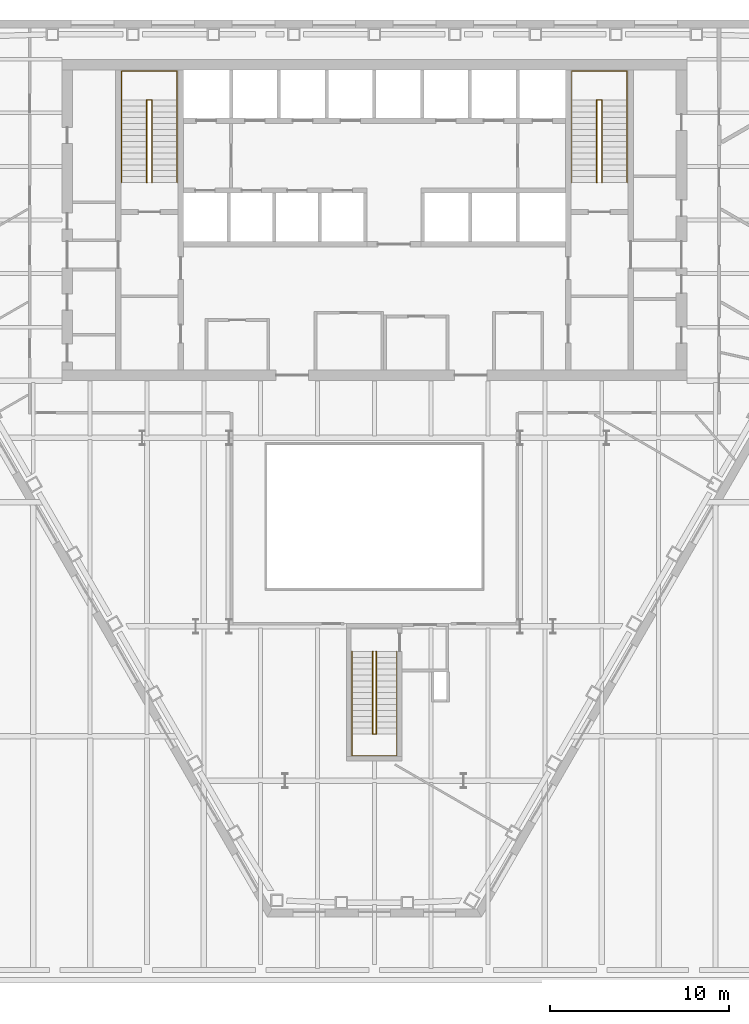
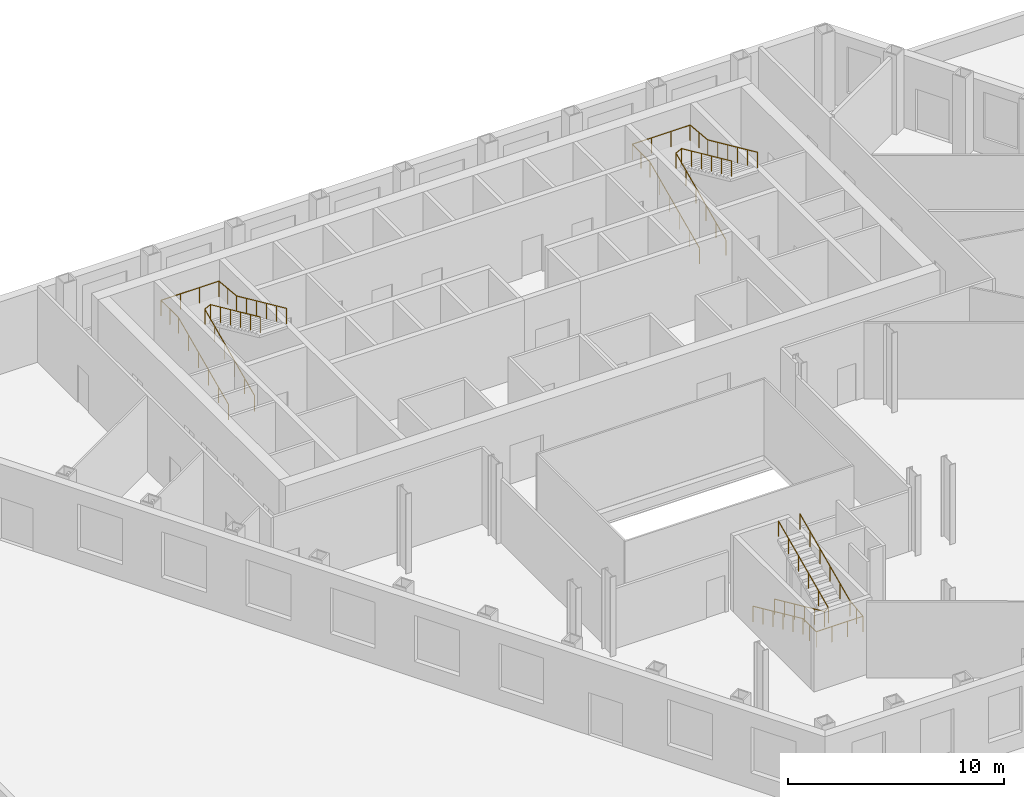
# One storey, part 14 of 14: 6 railings.
"""IFC4 building model written with IfcOpenShell, lengths in metres."""

from ifc_helpers import new_model, si_unit, direction, frame, origin, origin_2d, place, context, subcontext, project, spatial, circle, extrude, material, type_object, element, save


model = new_model("IFC4")

# Units and contexts
model_context = context("Model", 3, precision=1e-05, world=origin(), true_north=direction((0.0, 1.0)))
body_context = subcontext(model_context, "Body", "Model", "MODEL_VIEW")
ifc_project = project(units=[si_unit("LENGTHUNIT", "METRE"), si_unit("AREAUNIT", "SQUARE_METRE"), si_unit("VOLUMEUNIT", "CUBIC_METRE"), si_unit("PLANEANGLEUNIT", "RADIAN"), si_unit("MASSUNIT", "GRAM", prefix="KILO")], contexts=[model_context])

# Site, building, storey
site_placement = place(None, origin())
site = spatial("IfcSite", under=ifc_project, at=site_placement, CompositionType="ELEMENT")
building_placement = place(site_placement, origin())
building = spatial("IfcBuilding", under=site, at=building_placement, Name="Njiva Tower", CompositionType="ELEMENT")
storey_placement = place(building_placement, frame((0.0, 0.0, 28.8)))
storey = spatial("IfcBuildingStorey", under=building, at=storey_placement, Name="L05", CompositionType="ELEMENT", Elevation=28.8)

# Railings
ifc_material = material(Name="Stainless steel", Category="steel")
railing_type = type_object("IfcRailingType", Name="RL1 Stair handrail 900", PredefinedType="HANDRAIL", material=ifc_material)
railing_1_placement = place(storey_placement, frame((-14.15, 11.1, 0.15)))
element("IfcRailing", 1, at=railing_1_placement, inside=storey, type_object=railing_type, Name="Stair A handrail", PredefinedType="HANDRAIL", context=body_context, shape_type="SweptSolid", body=[
    extrude(circle(Radius=0.024, at=origin_2d()), frame((0.0, 0.0, 0.876), z_axis=(0.0, 0.910366477463, 0.413802944301), x_axis=(-1.0, 0.0, 0.0)), (0.0, 0.0, 1.0), 5.0749),
    extrude(circle(Radius=0.024, at=origin_2d()), frame((0.0, 4.62, 2.976), z_axis=(0.0, 1.0, 0.0), x_axis=(-1.0, 0.0, 0.0)), (0.0, 0.0, 1.0), 1.63),
    extrude(circle(Radius=0.024, at=origin_2d()), frame((0.0, 6.25, 2.976), z_axis=(1.0, 0.0, 0.0), x_axis=(0.0, 1.0, 0.0)), (0.0, 0.0, 1.0), 3.1),
    extrude(circle(Radius=0.024, at=origin_2d()), frame((3.1, 6.25, 2.976), z_axis=(0.0, -0.995792447047, 0.091637341753), x_axis=(1.0, 0.0, 0.0)), (0.0, 0.0, 1.0), 1.6369),
    extrude(circle(Radius=0.024, at=origin_2d()), frame((3.1, 4.62, 3.126), z_axis=(0.0, -0.910366477463, 0.413802944301), x_axis=(1.0, 0.0, 0.0)), (0.0, 0.0, 1.0), 5.0749),
    extrude(circle(Radius=0.021, at=origin_2d()), origin(), (0.0, 0.0, 1.0), 0.852),
    extrude(circle(Radius=0.021, at=origin_2d()), frame((0.0, 0.924, 0.42)), (0.0, 0.0, 1.0), 0.852),
    extrude(circle(Radius=0.021, at=origin_2d()), frame((0.0, 1.848, 0.84)), (0.0, 0.0, 1.0), 0.852),
    extrude(circle(Radius=0.021, at=origin_2d()), frame((0.0, 2.772, 1.26)), (0.0, 0.0, 1.0), 0.852),
    extrude(circle(Radius=0.021, at=origin_2d()), frame((0.0, 3.696, 1.68)), (0.0, 0.0, 1.0), 0.852),
    extrude(circle(Radius=0.021, at=origin_2d()), frame((0.0, 4.62, 2.1)), (0.0, 0.0, 1.0), 0.852),
    extrude(circle(Radius=0.021, at=origin_2d()), frame((0.0, 5.435, 2.1)), (0.0, 0.0, 1.0), 0.852),
    extrude(circle(Radius=0.021, at=origin_2d()), frame((0.0, 6.25, 2.1)), (0.0, 0.0, 1.0), 0.852),
    extrude(circle(Radius=0.021, at=origin_2d()), frame((1.0333, 6.25, 2.1)), (0.0, 0.0, 1.0), 0.852),
    extrude(circle(Radius=0.021, at=origin_2d()), frame((2.0667, 6.25, 2.1)), (0.0, 0.0, 1.0), 0.852),
    extrude(circle(Radius=0.021, at=origin_2d()), frame((3.1, 6.25, 2.1)), (0.0, 0.0, 1.0), 0.852),
    extrude(circle(Radius=0.021, at=origin_2d()), frame((3.1, 5.435, 2.175)), (0.0, 0.0, 1.0), 0.852),
    extrude(circle(Radius=0.021, at=origin_2d()), frame((3.1, 4.62, 2.25)), (0.0, 0.0, 1.0), 0.852),
    extrude(circle(Radius=0.021, at=origin_2d()), frame((3.1, 3.696, 2.67)), (0.0, 0.0, 1.0), 0.852),
    extrude(circle(Radius=0.021, at=origin_2d()), frame((3.1, 2.772, 3.09)), (0.0, 0.0, 1.0), 0.852),
    extrude(circle(Radius=0.021, at=origin_2d()), frame((3.1, 1.848, 3.51)), (0.0, 0.0, 1.0), 0.852),
    extrude(circle(Radius=0.021, at=origin_2d()), frame((3.1, 0.924, 3.93)), (0.0, 0.0, 1.0), 0.852),
    extrude(circle(Radius=0.021, at=origin_2d()), frame((3.1, 0.0, 4.35)), (0.0, 0.0, 1.0), 0.852),
])
railing_2_placement = place(storey_placement, frame((-12.75, 11.1, 0.15)))
element("IfcRailing", 2, at=railing_2_placement, inside=storey, type_object=railing_type, Name="Stair A handrail", PredefinedType="HANDRAIL", context=body_context, shape_type="SweptSolid", body=[
    extrude(circle(Radius=0.024, at=origin_2d()), frame((0.0, 0.0, 0.876), z_axis=(0.0, 0.910366477463, 0.413802944301), x_axis=(-1.0, 0.0, 0.0)), (0.0, 0.0, 1.0), 5.0749),
    extrude(circle(Radius=0.024, at=origin_2d()), frame((0.0, 4.62, 2.976), z_axis=(0.894427191, 0.0, 0.4472135955), x_axis=(0.0, 1.0, 0.0)), (0.0, 0.0, 1.0), 0.3354),
    extrude(circle(Radius=0.024, at=origin_2d()), frame((0.3, 4.62, 3.126), z_axis=(0.0, -0.910366477463, 0.413802944301), x_axis=(1.0, 0.0, 0.0)), (0.0, 0.0, 1.0), 5.0749),
    extrude(circle(Radius=0.021, at=origin_2d()), origin(), (0.0, 0.0, 1.0), 0.852),
    extrude(circle(Radius=0.021, at=origin_2d()), frame((0.0, 0.924, 0.42)), (0.0, 0.0, 1.0), 0.852),
    extrude(circle(Radius=0.021, at=origin_2d()), frame((0.0, 1.848, 0.84)), (0.0, 0.0, 1.0), 0.852),
    extrude(circle(Radius=0.021, at=origin_2d()), frame((0.0, 2.772, 1.26)), (0.0, 0.0, 1.0), 0.852),
    extrude(circle(Radius=0.021, at=origin_2d()), frame((0.0, 3.696, 1.68)), (0.0, 0.0, 1.0), 0.852),
    extrude(circle(Radius=0.021, at=origin_2d()), frame((0.0, 4.62, 2.1)), (0.0, 0.0, 1.0), 0.852),
    extrude(circle(Radius=0.021, at=origin_2d()), frame((0.3, 4.62, 2.25)), (0.0, 0.0, 1.0), 0.852),
    extrude(circle(Radius=0.021, at=origin_2d()), frame((0.3, 3.696, 2.67)), (0.0, 0.0, 1.0), 0.852),
    extrude(circle(Radius=0.021, at=origin_2d()), frame((0.3, 2.772, 3.09)), (0.0, 0.0, 1.0), 0.852),
    extrude(circle(Radius=0.021, at=origin_2d()), frame((0.3, 1.848, 3.51)), (0.0, 0.0, 1.0), 0.852),
    extrude(circle(Radius=0.021, at=origin_2d()), frame((0.3, 0.924, 3.93)), (0.0, 0.0, 1.0), 0.852),
    extrude(circle(Radius=0.021, at=origin_2d()), frame((0.3, 0.0, 4.35)), (0.0, 0.0, 1.0), 0.852),
])
railing_3_placement = place(storey_placement, frame((11.05, 11.1, 0.15)))
element("IfcRailing", 3, at=railing_3_placement, inside=storey, type_object=railing_type, Name="Stair B handrail", PredefinedType="HANDRAIL", context=body_context, shape_type="SweptSolid", body=[
    extrude(circle(Radius=0.024, at=origin_2d()), frame((0.0, 0.0, 0.876), z_axis=(0.0, 0.910366477463, 0.413802944301), x_axis=(-1.0, 0.0, 0.0)), (0.0, 0.0, 1.0), 5.0749),
    extrude(circle(Radius=0.024, at=origin_2d()), frame((0.0, 4.62, 2.976), z_axis=(0.0, 1.0, 0.0), x_axis=(-1.0, 0.0, 0.0)), (0.0, 0.0, 1.0), 1.63),
    extrude(circle(Radius=0.024, at=origin_2d()), frame((0.0, 6.25, 2.976), z_axis=(1.0, 0.0, 0.0), x_axis=(0.0, 1.0, 0.0)), (0.0, 0.0, 1.0), 3.1),
    extrude(circle(Radius=0.024, at=origin_2d()), frame((3.1, 6.25, 2.976), z_axis=(0.0, -0.995792447047, 0.091637341753), x_axis=(1.0, 0.0, 0.0)), (0.0, 0.0, 1.0), 1.6369),
    extrude(circle(Radius=0.024, at=origin_2d()), frame((3.1, 4.62, 3.126), z_axis=(0.0, -0.910366477463, 0.413802944301), x_axis=(1.0, 0.0, 0.0)), (0.0, 0.0, 1.0), 5.0749),
    extrude(circle(Radius=0.021, at=origin_2d()), origin(), (0.0, 0.0, 1.0), 0.852),
    extrude(circle(Radius=0.021, at=origin_2d()), frame((0.0, 0.924, 0.42)), (0.0, 0.0, 1.0), 0.852),
    extrude(circle(Radius=0.021, at=origin_2d()), frame((0.0, 1.848, 0.84)), (0.0, 0.0, 1.0), 0.852),
    extrude(circle(Radius=0.021, at=origin_2d()), frame((0.0, 2.772, 1.26)), (0.0, 0.0, 1.0), 0.852),
    extrude(circle(Radius=0.021, at=origin_2d()), frame((0.0, 3.696, 1.68)), (0.0, 0.0, 1.0), 0.852),
    extrude(circle(Radius=0.021, at=origin_2d()), frame((0.0, 4.62, 2.1)), (0.0, 0.0, 1.0), 0.852),
    extrude(circle(Radius=0.021, at=origin_2d()), frame((0.0, 5.435, 2.1)), (0.0, 0.0, 1.0), 0.852),
    extrude(circle(Radius=0.021, at=origin_2d()), frame((0.0, 6.25, 2.1)), (0.0, 0.0, 1.0), 0.852),
    extrude(circle(Radius=0.021, at=origin_2d()), frame((1.0333, 6.25, 2.1)), (0.0, 0.0, 1.0), 0.852),
    extrude(circle(Radius=0.021, at=origin_2d()), frame((2.0667, 6.25, 2.1)), (0.0, 0.0, 1.0), 0.852),
    extrude(circle(Radius=0.021, at=origin_2d()), frame((3.1, 6.25, 2.1)), (0.0, 0.0, 1.0), 0.852),
    extrude(circle(Radius=0.021, at=origin_2d()), frame((3.1, 5.435, 2.175)), (0.0, 0.0, 1.0), 0.852),
    extrude(circle(Radius=0.021, at=origin_2d()), frame((3.1, 4.62, 2.25)), (0.0, 0.0, 1.0), 0.852),
    extrude(circle(Radius=0.021, at=origin_2d()), frame((3.1, 3.696, 2.67)), (0.0, 0.0, 1.0), 0.852),
    extrude(circle(Radius=0.021, at=origin_2d()), frame((3.1, 2.772, 3.09)), (0.0, 0.0, 1.0), 0.852),
    extrude(circle(Radius=0.021, at=origin_2d()), frame((3.1, 1.848, 3.51)), (0.0, 0.0, 1.0), 0.852),
    extrude(circle(Radius=0.021, at=origin_2d()), frame((3.1, 0.924, 3.93)), (0.0, 0.0, 1.0), 0.852),
    extrude(circle(Radius=0.021, at=origin_2d()), frame((3.1, 0.0, 4.35)), (0.0, 0.0, 1.0), 0.852),
])
railing_4_placement = place(storey_placement, frame((12.45, 11.1, 0.15)))
element("IfcRailing", 4, at=railing_4_placement, inside=storey, type_object=railing_type, Name="Stair B handrail", PredefinedType="HANDRAIL", context=body_context, shape_type="SweptSolid", body=[
    extrude(circle(Radius=0.024, at=origin_2d()), frame((0.0, 0.0, 0.876), z_axis=(0.0, 0.910366477463, 0.413802944301), x_axis=(-1.0, 0.0, 0.0)), (0.0, 0.0, 1.0), 5.0749),
    extrude(circle(Radius=0.024, at=origin_2d()), frame((0.0, 4.62, 2.976), z_axis=(0.894427191, 0.0, 0.4472135955), x_axis=(0.0, 1.0, 0.0)), (0.0, 0.0, 1.0), 0.3354),
    extrude(circle(Radius=0.024, at=origin_2d()), frame((0.3, 4.62, 3.126), z_axis=(0.0, -0.910366477463, 0.413802944301), x_axis=(1.0, 0.0, 0.0)), (0.0, 0.0, 1.0), 5.0749),
    extrude(circle(Radius=0.021, at=origin_2d()), origin(), (0.0, 0.0, 1.0), 0.852),
    extrude(circle(Radius=0.021, at=origin_2d()), frame((0.0, 0.924, 0.42)), (0.0, 0.0, 1.0), 0.852),
    extrude(circle(Radius=0.021, at=origin_2d()), frame((0.0, 1.848, 0.84)), (0.0, 0.0, 1.0), 0.852),
    extrude(circle(Radius=0.021, at=origin_2d()), frame((0.0, 2.772, 1.26)), (0.0, 0.0, 1.0), 0.852),
    extrude(circle(Radius=0.021, at=origin_2d()), frame((0.0, 3.696, 1.68)), (0.0, 0.0, 1.0), 0.852),
    extrude(circle(Radius=0.021, at=origin_2d()), frame((0.0, 4.62, 2.1)), (0.0, 0.0, 1.0), 0.852),
    extrude(circle(Radius=0.021, at=origin_2d()), frame((0.3, 4.62, 2.25)), (0.0, 0.0, 1.0), 0.852),
    extrude(circle(Radius=0.021, at=origin_2d()), frame((0.3, 3.696, 2.67)), (0.0, 0.0, 1.0), 0.852),
    extrude(circle(Radius=0.021, at=origin_2d()), frame((0.3, 2.772, 3.09)), (0.0, 0.0, 1.0), 0.852),
    extrude(circle(Radius=0.021, at=origin_2d()), frame((0.3, 1.848, 3.51)), (0.0, 0.0, 1.0), 0.852),
    extrude(circle(Radius=0.021, at=origin_2d()), frame((0.3, 0.924, 3.93)), (0.0, 0.0, 1.0), 0.852),
    extrude(circle(Radius=0.021, at=origin_2d()), frame((0.3, 0.0, 4.35)), (0.0, 0.0, 1.0), 0.852),
])
railing_5_placement = place(storey_placement, frame((-1.25, -15.16, 0.15)))
element("IfcRailing", 5, at=railing_5_placement, inside=storey, type_object=railing_type, Name="Stair C handrail", PredefinedType="HANDRAIL", context=body_context, shape_type="SweptSolid", body=[
    extrude(circle(Radius=0.024, at=origin_2d()), frame((0.0, 0.0, 0.876), z_axis=(0.0, -0.910366477463, 0.413802944301), x_axis=(1.0, 0.0, 0.0)), (0.0, 0.0, 1.0), 5.0749),
    extrude(circle(Radius=0.024, at=origin_2d()), frame((0.0, -4.62, 2.976), z_axis=(0.0, -1.0, 0.0), x_axis=(1.0, 0.0, 0.0)), (0.0, 0.0, 1.0), 1.22),
    extrude(circle(Radius=0.024, at=origin_2d()), frame((0.0, -5.84, 2.976), z_axis=(1.0, 0.0, 0.0), x_axis=(0.0, 1.0, 0.0)), (0.0, 0.0, 1.0), 2.5),
    extrude(circle(Radius=0.024, at=origin_2d()), frame((2.5, -5.84, 2.976), z_axis=(0.0, 0.992526177815, 0.122031907108), x_axis=(-1.0, 0.0, 0.0)), (0.0, 0.0, 1.0), 1.2292),
    extrude(circle(Radius=0.024, at=origin_2d()), frame((2.5, -4.62, 3.126), z_axis=(0.0, 0.910366477463, 0.413802944301), x_axis=(-1.0, 0.0, 0.0)), (0.0, 0.0, 1.0), 5.0749),
    extrude(circle(Radius=0.021, at=origin_2d()), origin(), (0.0, 0.0, 1.0), 0.852),
    extrude(circle(Radius=0.021, at=origin_2d()), frame((0.0, -0.924, 0.42)), (0.0, 0.0, 1.0), 0.852),
    extrude(circle(Radius=0.021, at=origin_2d()), frame((0.0, -1.848, 0.84)), (0.0, 0.0, 1.0), 0.852),
    extrude(circle(Radius=0.021, at=origin_2d()), frame((0.0, -2.772, 1.26)), (0.0, 0.0, 1.0), 0.852),
    extrude(circle(Radius=0.021, at=origin_2d()), frame((0.0, -3.696, 1.68)), (0.0, 0.0, 1.0), 0.852),
    extrude(circle(Radius=0.021, at=origin_2d()), frame((0.0, -4.62, 2.1)), (0.0, 0.0, 1.0), 0.852),
    extrude(circle(Radius=0.021, at=origin_2d()), frame((0.0, -5.23, 2.1)), (0.0, 0.0, 1.0), 0.852),
    extrude(circle(Radius=0.021, at=origin_2d()), frame((0.0, -5.84, 2.1)), (0.0, 0.0, 1.0), 0.852),
    extrude(circle(Radius=0.021, at=origin_2d()), frame((0.8333, -5.84, 2.1)), (0.0, 0.0, 1.0), 0.852),
    extrude(circle(Radius=0.021, at=origin_2d()), frame((1.6667, -5.84, 2.1)), (0.0, 0.0, 1.0), 0.852),
    extrude(circle(Radius=0.021, at=origin_2d()), frame((2.5, -5.84, 2.1)), (0.0, 0.0, 1.0), 0.852),
    extrude(circle(Radius=0.021, at=origin_2d()), frame((2.5, -5.23, 2.175)), (0.0, 0.0, 1.0), 0.852),
    extrude(circle(Radius=0.021, at=origin_2d()), frame((2.5, -4.62, 2.25)), (0.0, 0.0, 1.0), 0.852),
    extrude(circle(Radius=0.021, at=origin_2d()), frame((2.5, -3.696, 2.67)), (0.0, 0.0, 1.0), 0.852),
    extrude(circle(Radius=0.021, at=origin_2d()), frame((2.5, -2.772, 3.09)), (0.0, 0.0, 1.0), 0.852),
    extrude(circle(Radius=0.021, at=origin_2d()), frame((2.5, -1.848, 3.51)), (0.0, 0.0, 1.0), 0.852),
    extrude(circle(Radius=0.021, at=origin_2d()), frame((2.5, -0.924, 3.93)), (0.0, 0.0, 1.0), 0.852),
    extrude(circle(Radius=0.021, at=origin_2d()), frame((2.5, 0.0, 4.35)), (0.0, 0.0, 1.0), 0.852),
])
railing_6_placement = place(storey_placement, frame((-0.1, -15.16, 0.15)))
element("IfcRailing", 6, at=railing_6_placement, inside=storey, type_object=railing_type, Name="Stair C handrail", PredefinedType="HANDRAIL", context=body_context, shape_type="SweptSolid", body=[
    extrude(circle(Radius=0.024, at=origin_2d()), frame((0.0, 0.0, 0.876), z_axis=(0.0, -0.910366477463, 0.413802944301), x_axis=(1.0, 0.0, 0.0)), (0.0, 0.0, 1.0), 5.0749),
    extrude(circle(Radius=0.024, at=origin_2d()), frame((0.0, -4.62, 2.976), z_axis=(0.8, 0.0, 0.6), x_axis=(0.0, 1.0, 0.0)), (0.0, 0.0, 1.0), 0.25),
    extrude(circle(Radius=0.024, at=origin_2d()), frame((0.2, -4.62, 3.126), z_axis=(0.0, 0.910366477463, 0.413802944301), x_axis=(-1.0, 0.0, 0.0)), (0.0, 0.0, 1.0), 5.0749),
    extrude(circle(Radius=0.021, at=origin_2d()), origin(), (0.0, 0.0, 1.0), 0.852),
    extrude(circle(Radius=0.021, at=origin_2d()), frame((0.0, -0.924, 0.42)), (0.0, 0.0, 1.0), 0.852),
    extrude(circle(Radius=0.021, at=origin_2d()), frame((0.0, -1.848, 0.84)), (0.0, 0.0, 1.0), 0.852),
    extrude(circle(Radius=0.021, at=origin_2d()), frame((0.0, -2.772, 1.26)), (0.0, 0.0, 1.0), 0.852),
    extrude(circle(Radius=0.021, at=origin_2d()), frame((0.0, -3.696, 1.68)), (0.0, 0.0, 1.0), 0.852),
    extrude(circle(Radius=0.021, at=origin_2d()), frame((0.0, -4.62, 2.1)), (0.0, 0.0, 1.0), 0.852),
    extrude(circle(Radius=0.021, at=origin_2d()), frame((0.2, -4.62, 2.25)), (0.0, 0.0, 1.0), 0.852),
    extrude(circle(Radius=0.021, at=origin_2d()), frame((0.2, -3.696, 2.67)), (0.0, 0.0, 1.0), 0.852),
    extrude(circle(Radius=0.021, at=origin_2d()), frame((0.2, -2.772, 3.09)), (0.0, 0.0, 1.0), 0.852),
    extrude(circle(Radius=0.021, at=origin_2d()), frame((0.2, -1.848, 3.51)), (0.0, 0.0, 1.0), 0.852),
    extrude(circle(Radius=0.021, at=origin_2d()), frame((0.2, -0.924, 3.93)), (0.0, 0.0, 1.0), 0.852),
    extrude(circle(Radius=0.021, at=origin_2d()), frame((0.2, 0.0, 4.35)), (0.0, 0.0, 1.0), 0.852),
])

save(model, "model.ifc")
